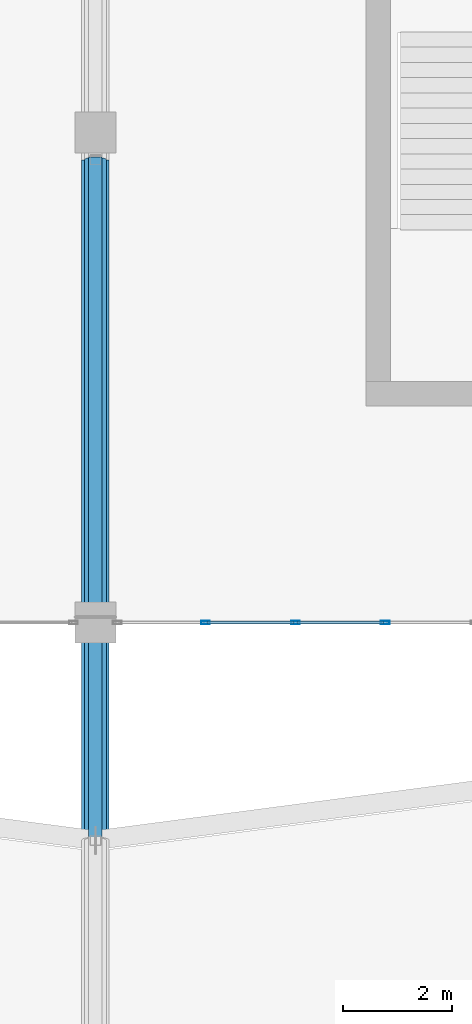
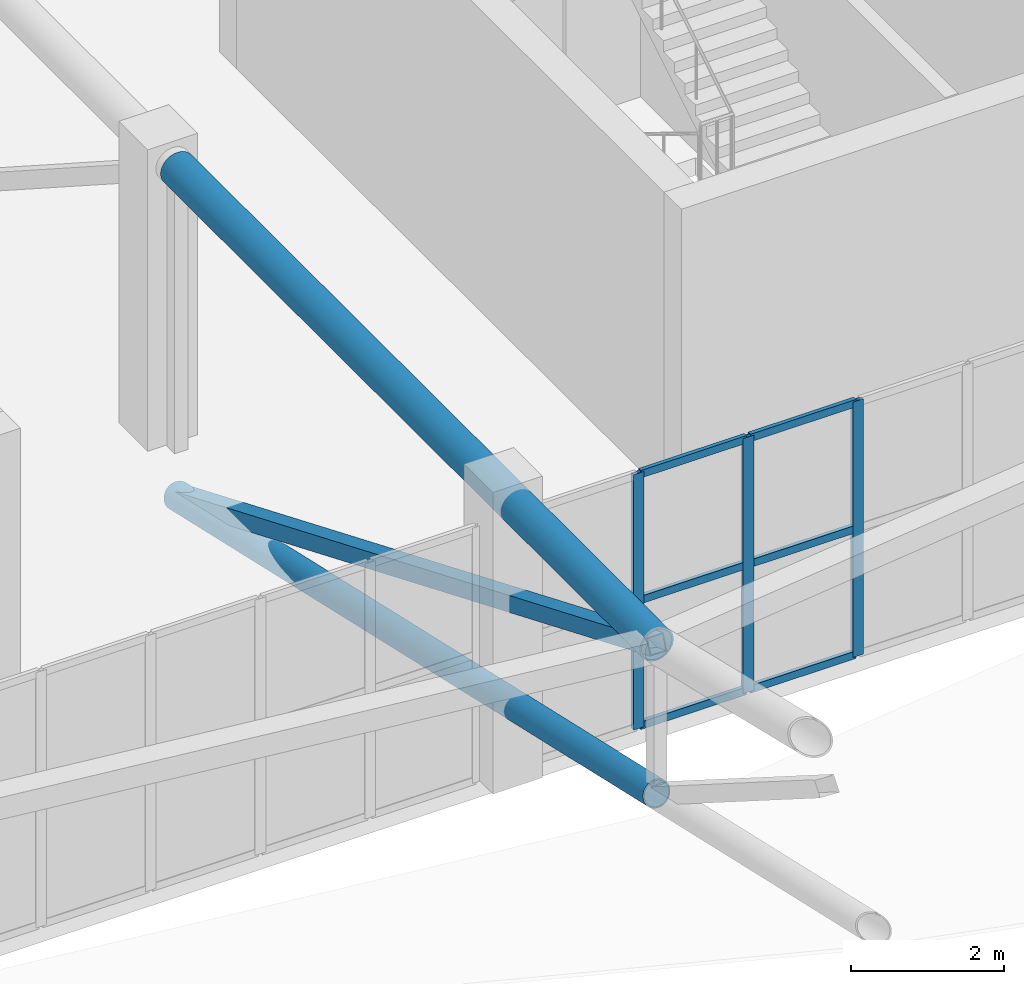
# One storey, part 28 of 167: 12 members, 1 element without a shape of its own.
"""IFC4 building model written with IfcOpenShell, lengths in metres."""

from ifc_helpers import new_model, si_unit, direction, frame, origin, origin_2d, place, context, subcontext, project, spatial, hollow_rectangle, hollow_circle, extrude, material, layer, layer_set, material_profile, profile_set, type_object, element, aggregate, save


model = new_model("IFC4")

# Units and contexts
model_context = context("Model", 3, precision=1e-05, world=origin(), true_north=direction((0.0, 1.0)))
body_context = subcontext(model_context, "Body", "Model", "MODEL_VIEW")
ifc_project = project(units=[si_unit("LENGTHUNIT", "METRE"), si_unit("AREAUNIT", "SQUARE_METRE"), si_unit("VOLUMEUNIT", "CUBIC_METRE"), si_unit("PLANEANGLEUNIT", "RADIAN"), si_unit("MASSUNIT", "GRAM", prefix="KILO")], contexts=[model_context])

# Site, building, storey
site_placement = place(None, origin())
site = spatial("IfcSite", under=ifc_project, at=site_placement, CompositionType="ELEMENT")
building_placement = place(site_placement, origin())
building = spatial("IfcBuilding", under=site, at=building_placement, Name="Dornveld Trade and Exhibition Forum", CompositionType="ELEMENT")
storey_placement = place(building_placement, frame((0.0, 0.0, 16.800048828125)))
storey = spatial("IfcBuildingStorey", under=building, at=storey_placement, Name="L03", CompositionType="ELEMENT", Elevation=16.800048828125)

# Curtain wall, members
ifc_material_1 = material(Name="Dark-bronze anodised aluminium and low-E glass", Category="aluminium")
ifc_layer = layer(ifc_material_1, 0.14501953125)
ifc_layer_set = layer_set([ifc_layer], Name="Dark-bronze anodised aluminium and low-E glass")
curtain_wall_type = type_object("IfcCurtainWallType", Name="CW-SYS-01", PredefinedType="USERDEFINED", material=ifc_layer_set)
curtain_wall_placement = place(storey_placement, origin())
curtain_wall = element("IfcCurtainWall", 1, at=curtain_wall_placement, inside=storey, type_object=curtain_wall_type, Name="L03 unitised curtain wall 55", ObjectType="UNITISED_CURTAIN_WALL", PredefinedType="USERDEFINED")
ifc_material_2 = material(Name="Dark-bronze anodised aluminium", Category="aluminium")
ifc_material_profile_1 = material_profile(ifc_material_2, hollow_rectangle(XDim=0.06005859375, YDim=0.159912109375, WallThickness=0.00390625, at=origin_2d()), Name="RHS 160x60x4")
ifc_profile_set_1 = profile_set([ifc_material_profile_1], Name="Dark-bronze anodised aluminium")
member_type_1 = type_object("IfcMemberType", Name="CW-MUL-160", PredefinedType="MULLION", material=ifc_profile_set_1)
member_1_placement = place(storey_placement, frame((119.022705078125, 45.0, -0.004150390625), z_axis=(0.0, 0.0, 1.0), x_axis=(0.0, 1.0, 0.0)))
member_1 = element("IfcMember", 2, at=member_1_placement, type_object=member_type_1, Name="CW-01 mullion 2", PredefinedType="MULLION", context=body_context, shape_type="SweptSolid", body=[
    extrude(hollow_rectangle(XDim=0.06005859375, YDim=0.159912109375, WallThickness=0.00390625, at=origin_2d()), origin(), (0.0, 0.0, 1.0), 4.064208984375),
])
member_2_placement = place(storey_placement, frame((120.67431640625, 45.0, -0.004150390625), z_axis=(0.0, 0.0, 1.0), x_axis=(0.0, 1.0, 0.0)))
member_2 = element("IfcMember", 3, at=member_2_placement, type_object=member_type_1, Name="CW-01 mullion 3", PredefinedType="MULLION", context=body_context, shape_type="SweptSolid", body=[
    extrude(hollow_rectangle(XDim=0.06005859375, YDim=0.159912109375, WallThickness=0.00390625, at=origin_2d()), origin(), (0.0, 0.0, 1.0), 4.064208984375),
])
member_3_placement = place(storey_placement, frame((122.32568359375, 45.0, -0.004150390625), z_axis=(0.0, 0.0, 1.0), x_axis=(0.0, 1.0, 0.0)))
member_3 = element("IfcMember", 4, at=member_3_placement, type_object=member_type_1, Name="CW-01 mullion 4", PredefinedType="MULLION", context=body_context, shape_type="SweptSolid", body=[
    extrude(hollow_rectangle(XDim=0.06005859375, YDim=0.159912109375, WallThickness=0.00390625, at=origin_2d()), origin(), (0.0, 0.0, 1.0), 4.064208984375),
])
ifc_material_3 = material(Name="Dark-bronze anodised aluminium", Category="aluminium")
ifc_material_profile_2 = material_profile(ifc_material_3, hollow_rectangle(XDim=0.06005859375, YDim=0.1201171875, WallThickness=0.00390625, at=origin_2d()), Name="RHS 120x60x4")
ifc_profile_set_2 = profile_set([ifc_material_profile_2], Name="Dark-bronze anodised aluminium")
member_type_2 = type_object("IfcMemberType", Name="CW-TRN-120", PredefinedType="USERDEFINED", material=ifc_profile_set_2)
member_4_placement = place(storey_placement, frame((119.052490234375, 45.0, 0.02587890625), z_axis=(1.0, 0.0, 0.0), x_axis=(0.0, 1.0, 0.0)))
member_4 = element("IfcMember", 5, at=member_4_placement, type_object=member_type_2, Name="CW-01 transom 2.1", ObjectType="TRANSOM", PredefinedType="USERDEFINED", context=body_context, shape_type="SweptSolid", body=[
    extrude(hollow_rectangle(XDim=0.06005859375, YDim=0.1201171875, WallThickness=0.00390625, at=origin_2d()), origin(), (0.0, 0.0, 1.0), 1.591796875),
])
member_5_placement = place(storey_placement, frame((119.052490234375, 45.0, 2.02783203125), z_axis=(1.0, 0.0, 0.0), x_axis=(0.0, 1.0, 0.0)))
member_5 = element("IfcMember", 6, at=member_5_placement, type_object=member_type_2, Name="CW-01 transom 2.2", ObjectType="TRANSOM", PredefinedType="USERDEFINED", context=body_context, shape_type="SweptSolid", body=[
    extrude(hollow_rectangle(XDim=0.06005859375, YDim=0.1201171875, WallThickness=0.00390625, at=origin_2d()), origin(), (0.0, 0.0, 1.0), 1.591796875),
])
member_6_placement = place(storey_placement, frame((119.052490234375, 45.0, 4.030029296875), z_axis=(1.0, 0.0, 0.0), x_axis=(0.0, 1.0, 0.0)))
member_6 = element("IfcMember", 7, at=member_6_placement, type_object=member_type_2, Name="CW-01 transom 2.3", ObjectType="TRANSOM", PredefinedType="USERDEFINED", context=body_context, shape_type="SweptSolid", body=[
    extrude(hollow_rectangle(XDim=0.06005859375, YDim=0.1201171875, WallThickness=0.00390625, at=origin_2d()), origin(), (0.0, 0.0, 1.0), 1.591796875),
])
member_7_placement = place(storey_placement, frame((120.7041015625, 45.0, 0.02587890625), z_axis=(1.0, 0.0, 0.0), x_axis=(0.0, 1.0, 0.0)))
member_7 = element("IfcMember", 8, at=member_7_placement, type_object=member_type_2, Name="CW-01 transom 3.1", ObjectType="TRANSOM", PredefinedType="USERDEFINED", context=body_context, shape_type="SweptSolid", body=[
    extrude(hollow_rectangle(XDim=0.06005859375, YDim=0.1201171875, WallThickness=0.00390625, at=origin_2d()), origin(), (0.0, 0.0, 1.0), 1.591796875),
])
member_8_placement = place(storey_placement, frame((120.7041015625, 45.0, 2.02783203125), z_axis=(1.0, 0.0, 0.0), x_axis=(0.0, 1.0, 0.0)))
member_8 = element("IfcMember", 9, at=member_8_placement, type_object=member_type_2, Name="CW-01 transom 3.2", ObjectType="TRANSOM", PredefinedType="USERDEFINED", context=body_context, shape_type="SweptSolid", body=[
    extrude(hollow_rectangle(XDim=0.06005859375, YDim=0.1201171875, WallThickness=0.00390625, at=origin_2d()), origin(), (0.0, 0.0, 1.0), 1.591796875),
])
member_9_placement = place(storey_placement, frame((120.7041015625, 45.0, 4.030029296875), z_axis=(1.0, 0.0, 0.0), x_axis=(0.0, 1.0, 0.0)))
member_9 = element("IfcMember", 10, at=member_9_placement, type_object=member_type_2, Name="CW-01 transom 3.3", ObjectType="TRANSOM", PredefinedType="USERDEFINED", context=body_context, shape_type="SweptSolid", body=[
    extrude(hollow_rectangle(XDim=0.06005859375, YDim=0.1201171875, WallThickness=0.00390625, at=origin_2d()), origin(), (0.0, 0.0, 1.0), 1.591796875),
])
aggregate(curtain_wall, [member_1, member_2, member_3, member_4, member_5, member_6, member_7, member_8, member_9])

# Members
ifc_material_4 = material(Name="Steel S355J2", Category="steel")
ifc_material_profile_3 = material_profile(ifc_material_4, hollow_circle(Radius=0.203125, WallThickness=0.02001953125, at=origin_2d()), Name="CHS 406.4x20")
ifc_profile_set_3 = profile_set([ifc_material_profile_3], Name="Steel S355J2")
member_type_3 = type_object("IfcMemberType", Name="MEM-DISC-BC", PredefinedType="CHORD", material=ifc_profile_set_3)
member_10_placement = place(storey_placement, frame((117.0, 53.5, -0.76220703125), z_axis=(0.0, -0.975183720687, 0.221397179087), x_axis=(1.0, 0.0, 0.0)))
element("IfcMember", 11, at=member_10_placement, inside=storey, type_object=member_type_3, Name="Roof disc radial R19 conical bottom chord 2", PredefinedType="CHORD", context=body_context, shape_type="SweptSolid", body=[
    extrude(hollow_circle(Radius=0.203125, WallThickness=0.02001953125, at=origin_2d()), origin(), (0.0, 0.0, 1.0), 12.818115234375),
])
ifc_material_5 = material(Name="Steel S355J2", Category="steel")
ifc_material_profile_4 = material_profile(ifc_material_5, hollow_circle(Radius=0.25390625, WallThickness=0.02490234375, at=origin_2d()), Name="CHS 508x25")
ifc_profile_set_4 = profile_set([ifc_material_profile_4], Name="Steel S355J2")
member_type_4 = type_object("IfcMemberType", Name="MEM-DISC-TC", PredefinedType="CHORD", material=ifc_profile_set_4)
member_11_placement = place(storey_placement, frame((117.0, 53.5, 4.449951171875), z_axis=(0.0, -1.0, 0.0), x_axis=(1.0, 0.0, 0.0)))
element("IfcMember", 12, at=member_11_placement, inside=storey, type_object=member_type_4, Name="Roof disc radial R19 top chord 2", PredefinedType="CHORD", context=body_context, shape_type="SweptSolid", body=[
    extrude(hollow_circle(Radius=0.25390625, WallThickness=0.02490234375, at=origin_2d()), origin(), (0.0, 0.0, 1.0), 12.5),
])
ifc_material_6 = material(Name="Steel S355J2", Category="steel")
ifc_material_profile_5 = material_profile(ifc_material_6, hollow_rectangle(XDim=0.25, YDim=0.25, WallThickness=0.012451171875, at=origin_2d()), Name="SHS 250x250x12.5")
ifc_profile_set_5 = profile_set([ifc_material_profile_5], Name="Steel S355J2")
member_type_5 = type_object("IfcMemberType", Name="MEM-DISC-WEB", PredefinedType="BRACE", material=ifc_profile_set_5)
member_12_placement = place(storey_placement, frame((117.0, 53.5, -0.76220703125), z_axis=(0.0, -0.922976623816, 0.384856014489), x_axis=(1.0, 0.0, 0.0)))
element("IfcMember", 13, at=member_12_placement, inside=storey, type_object=member_type_5, Name="Roof disc radial R19 web 2", PredefinedType="BRACE", context=body_context, shape_type="SweptSolid", body=[
    extrude(hollow_rectangle(XDim=0.25, YDim=0.25, WallThickness=0.012451171875, at=origin_2d()), origin(), (0.0, 0.0, 1.0), 13.543212890625),
])

save(model, "model.ifc")
